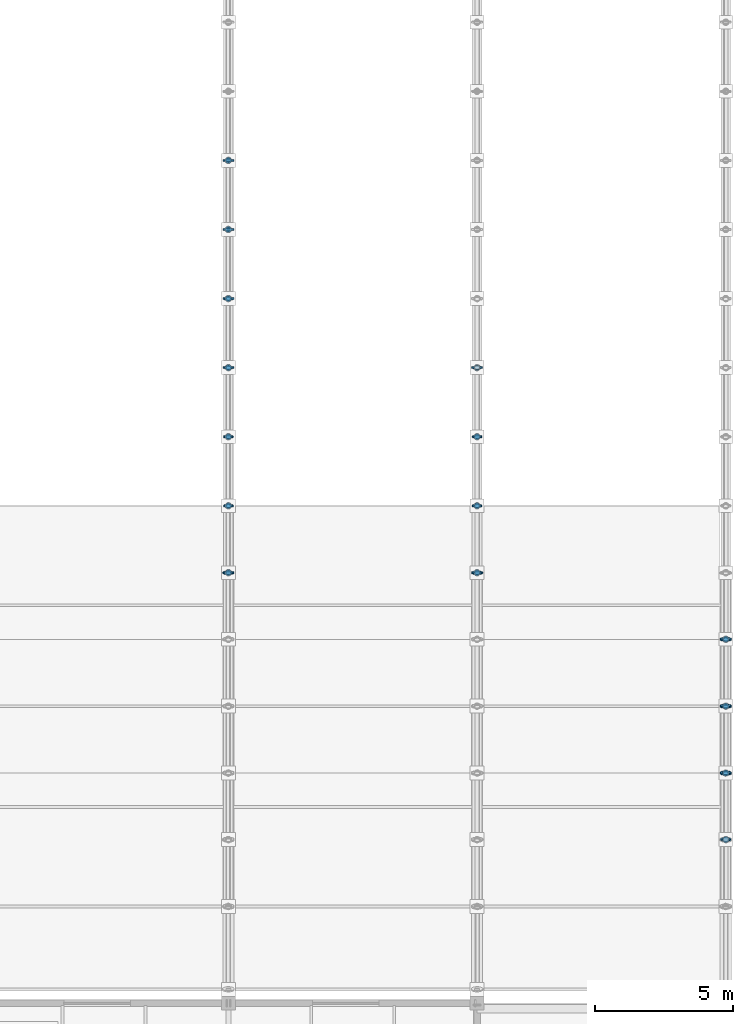
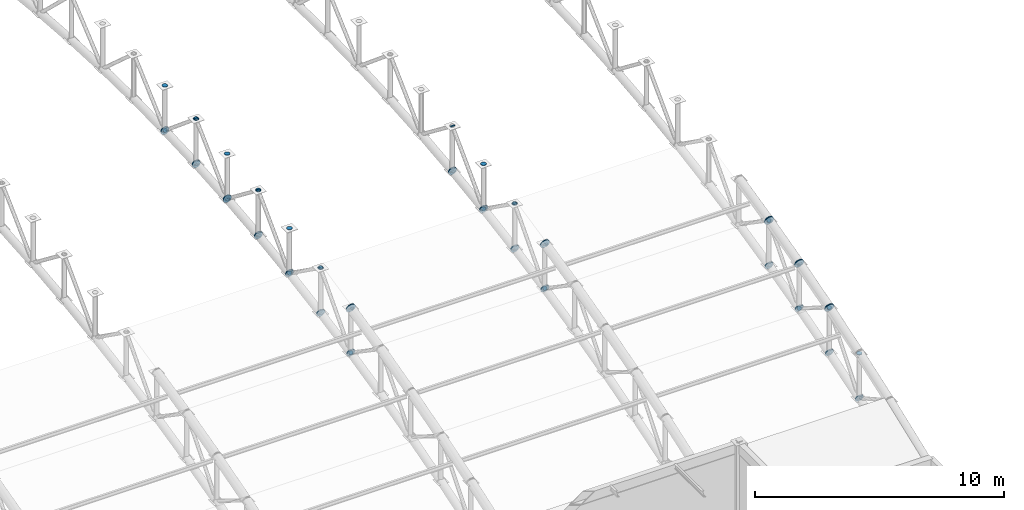
# One storey, part 153 of 195: 94 discrete accessories.
"""IFC4 building model written with IfcOpenShell, lengths in metres."""

from ifc_helpers import new_model, si_unit, direction, frame, origin, origin_2d, place, context, subcontext, project, spatial, circle, extrude, material, element, save


model = new_model("IFC4")

# Units and contexts
model_context = context("Model", 3, precision=1e-05, world=origin(), true_north=direction((0.0, 1.0)))
body_context = subcontext(model_context, "Body", "Model", "MODEL_VIEW")
ifc_project = project(units=[si_unit("LENGTHUNIT", "METRE"), si_unit("AREAUNIT", "SQUARE_METRE"), si_unit("VOLUMEUNIT", "CUBIC_METRE"), si_unit("PLANEANGLEUNIT", "RADIAN"), si_unit("MASSUNIT", "GRAM", prefix="KILO")], contexts=[model_context])

# Site, building, storey
site_placement = place(None, origin())
site = spatial("IfcSite", under=ifc_project, at=site_placement, CompositionType="ELEMENT")
building_placement = place(site_placement, origin())
building = spatial("IfcBuilding", under=site, at=building_placement, Name="Marlcrest Central Station", CompositionType="ELEMENT")
storey_placement = place(building_placement, frame((0.0, 0.0, 9.800048828125)))
storey = spatial("IfcBuildingStorey", under=building, at=storey_placement, Name="L02", CompositionType="ELEMENT", Elevation=9.800048828125)

# Discrete accessories
ifc_material = material(Name="Steel S355", Category="steel")
discrete_accessory_1_placement = place(storey_placement, frame((198.0, 48.5556640625, 5.111328125), z_axis=(0.0, 0.974329612642, 0.225126200004), x_axis=(-1.0, 0.0, 0.0)))
element("IfcDiscreteAccessory", 1, at=discrete_accessory_1_placement, inside=storey, material=ifc_material, Name="endcap-mem-AC-01-L02-01804-e", ObjectType="END_CAP_PLATE", PredefinedType="BRACKET", context=body_context, shape_type="SweptSolid", body=[
    extrude(circle(Radius=0.211181640625, at=origin_2d()), origin(), (0.0, 0.0, 1.0), 0.0400390625),
])
discrete_accessory_2_placement = place(storey_placement, frame((198.0, 48.5556640625, 2.911376953125), z_axis=(0.0, 0.974307959875, 0.225219891049), x_axis=(-1.0, 0.0, 0.0)))
element("IfcDiscreteAccessory", 2, at=discrete_accessory_2_placement, inside=storey, material=ifc_material, Name="endcap-mem-AC-02-L02-01805-e", ObjectType="END_CAP_PLATE", PredefinedType="BRACKET", context=body_context, shape_type="SweptSolid", body=[
    extrude(circle(Radius=0.185791015625, at=origin_2d()), origin(), (0.0, 0.0, 1.0), 0.0400390625),
])
discrete_accessory_3_placement = place(storey_placement, frame((198.0, 48.559326171875, 2.93115234375), z_axis=(0.0, 0.82626275624, -0.563284881432), x_axis=(-1.0, 0.0, 0.0)))
element("IfcDiscreteAccessory", 3, at=discrete_accessory_3_placement, inside=storey, material=ifc_material, Name="endcap-mem-AD-01-L02-01807-e", ObjectType="END_CAP_PLATE", PredefinedType="BRACKET", context=body_context, shape_type="SweptSolid", body=[
    extrude(circle(Radius=0.092041015625, at=origin_2d()), origin(), (0.0, 0.0, 1.0), 0.0400390625),
])
for number, where, z_axis, x_axis, name in (
    (4, (198.0, 48.5654296875, 2.9140625), (0.0, 0.980359417961, 0.197219196874), (-1.0, 0.0, 0.0), "endcap-mem-AC-02-L02-01809-s"),
    (5, (198.0, 50.9755859375, 3.39892578125), (0.0, 0.980359417961, 0.197219196874), (-1.0, 0.0, 0.0), "endcap-mem-AC-02-L02-01809-e"),
):
    element("IfcDiscreteAccessory", number, at=place(storey_placement, frame(where, z_axis=z_axis, x_axis=x_axis)), inside=storey, material=ifc_material, Name=name, ObjectType="END_CAP_PLATE", PredefinedType="BRACKET", context=body_context, shape_type="SweptSolid", body=[
        extrude(circle(Radius=0.185791015625, at=origin_2d()), origin(), (0.0, 0.0, 1.0), 0.0400390625),
    ])
for number, where, z_axis, x_axis, name in (
    (6, (198.0, 48.580078125, 2.902099609375), (0.0, 0.0, 1.0), (1.0, 0.0, 0.0), "endcap-mem-AP-01-L02-01810-s"),
    (7, (198.0, 48.580078125, 5.092041015625), (0.0, 0.0, 1.0), (1.0, 0.0, 0.0), "endcap-mem-AP-01-L02-01810-e"),
):
    element("IfcDiscreteAccessory", number, at=place(storey_placement, frame(where, z_axis=z_axis, x_axis=x_axis)), inside=storey, material=ifc_material, Name=name, ObjectType="END_CAP_PLATE", PredefinedType="BRACKET", context=body_context, shape_type="SweptSolid", body=[
        extrude(circle(Radius=0.117431640625, at=origin_2d()), origin(), (0.0, 0.0, 1.0), 0.0400390625),
    ])
for number, where, z_axis, x_axis, name in (
    (8, (198.0, 48.570068359375, 2.90576171875), (0.0, 0.669244457479, 0.743042297675), (-1.0, 0.0, 0.0), "endcap-mem-AD-01-L02-01811-s"),
    (9, (198.0, 50.983154296875, 5.585205078125), (0.0, 0.669244457479, 0.743042297675), (-1.0, 0.0, 0.0), "endcap-mem-AD-01-L02-01811-e"),
):
    element("IfcDiscreteAccessory", number, at=place(storey_placement, frame(where, z_axis=z_axis, x_axis=x_axis)), inside=storey, material=ifc_material, Name=name, ObjectType="END_CAP_PLATE", PredefinedType="BRACKET", context=body_context, shape_type="SweptSolid", body=[
        extrude(circle(Radius=0.092041015625, at=origin_2d()), origin(), (0.0, 0.0, 1.0), 0.0400390625),
    ])
for number, where, z_axis, x_axis, name in (
    (10, (198.0, 50.985107421875, 3.4013671875), (0.0, 0.98574109921, 0.168269086076), (-1.0, 0.0, 0.0), "endcap-mem-AC-02-L02-01813-s"),
    (11, (198.0, 53.475341796875, 3.826416015625), (0.0, 0.98574109921, 0.168269086076), (-1.0, 0.0, 0.0), "endcap-mem-AC-02-L02-01813-e"),
):
    element("IfcDiscreteAccessory", number, at=place(storey_placement, frame(where, z_axis=z_axis, x_axis=x_axis)), inside=storey, material=ifc_material, Name=name, ObjectType="END_CAP_PLATE", PredefinedType="BRACKET", context=body_context, shape_type="SweptSolid", body=[
        extrude(circle(Radius=0.185791015625, at=origin_2d()), origin(), (0.0, 0.0, 1.0), 0.0400390625),
    ])
for number, where, z_axis, x_axis, name in (
    (12, (198.0, 51.0, 3.388916015625), (0.0, 0.0, 1.0), (1.0, 0.0, 0.0), "endcap-mem-AP-01-L02-01814-s"),
    (13, (198.0, 51.0, 5.578857421875), (0.0, 0.0, 1.0), (1.0, 0.0, 0.0), "endcap-mem-AP-01-L02-01814-e"),
):
    element("IfcDiscreteAccessory", number, at=place(storey_placement, frame(where, z_axis=z_axis, x_axis=x_axis)), inside=storey, material=ifc_material, Name=name, ObjectType="END_CAP_PLATE", PredefinedType="BRACKET", context=body_context, shape_type="SweptSolid", body=[
        extrude(circle(Radius=0.117431640625, at=origin_2d()), origin(), (0.0, 0.0, 1.0), 0.0400390625),
    ])
for number, where, z_axis, x_axis, name in (
    (14, (198.0, 50.98779296875, 5.612548828125), (0.0, 0.815661132754, -0.57852996164), (-1.0, 0.0, 0.0), "endcap-mem-AD-01-L02-01815-s"),
    (15, (198.0, 53.4794921875, 3.844970703125), (0.0, 0.815661132754, -0.57852996164), (-1.0, 0.0, 0.0), "endcap-mem-AD-01-L02-01815-e"),
):
    element("IfcDiscreteAccessory", number, at=place(storey_placement, frame(where, z_axis=z_axis, x_axis=x_axis)), inside=storey, material=ifc_material, Name=name, ObjectType="END_CAP_PLATE", PredefinedType="BRACKET", context=body_context, shape_type="SweptSolid", body=[
        extrude(circle(Radius=0.092041015625, at=origin_2d()), origin(), (0.0, 0.0, 1.0), 0.0400390625),
    ])
for number, where, z_axis, x_axis, name in (
    (16, (198.0, 53.485107421875, 3.82861328125), (0.0, 0.990402740232, 0.138211476152), (-1.0, 0.0, 0.0), "endcap-mem-AC-02-L02-01817-s"),
    (17, (198.0, 55.975341796875, 4.176025390625), (0.0, 0.990402740232, 0.138211476152), (-1.0, 0.0, 0.0), "endcap-mem-AC-02-L02-01817-e"),
):
    element("IfcDiscreteAccessory", number, at=place(storey_placement, frame(where, z_axis=z_axis, x_axis=x_axis)), inside=storey, material=ifc_material, Name=name, ObjectType="END_CAP_PLATE", PredefinedType="BRACKET", context=body_context, shape_type="SweptSolid", body=[
        extrude(circle(Radius=0.185791015625, at=origin_2d()), origin(), (0.0, 0.0, 1.0), 0.0400390625),
    ])
for number, where, z_axis, x_axis, name in (
    (18, (198.0, 53.5, 3.815673828125), (0.0, 0.0, 1.0), (1.0, 0.0, 0.0), "endcap-mem-AP-01-L02-01818-s"),
    (19, (198.0, 53.5, 6.005615234375), (0.0, 0.0, 1.0), (1.0, 0.0, 0.0), "endcap-mem-AP-01-L02-01818-e"),
):
    element("IfcDiscreteAccessory", number, at=place(storey_placement, frame(where, z_axis=z_axis, x_axis=x_axis)), inside=storey, material=ifc_material, Name=name, ObjectType="END_CAP_PLATE", PredefinedType="BRACKET", context=body_context, shape_type="SweptSolid", body=[
        extrude(circle(Radius=0.117431640625, at=origin_2d()), origin(), (0.0, 0.0, 1.0), 0.0400390625),
    ])
for number, where, z_axis, x_axis, name in (
    (20, (198.0, 53.489501953125, 3.81982421875), (0.0, 0.70023547796, 0.713911952139), (-1.0, 0.0, 0.0), "endcap-mem-AD-01-L02-01819-s"),
    (21, (198.0, 55.982421875, 6.361572265625), (0.0, 0.70023547796, 0.713911952139), (-1.0, 0.0, 0.0), "endcap-mem-AD-01-L02-01819-e"),
):
    element("IfcDiscreteAccessory", number, at=place(storey_placement, frame(where, z_axis=z_axis, x_axis=x_axis)), inside=storey, material=ifc_material, Name=name, ObjectType="END_CAP_PLATE", PredefinedType="BRACKET", context=body_context, shape_type="SweptSolid", body=[
        extrude(circle(Radius=0.092041015625, at=origin_2d()), origin(), (0.0, 0.0, 1.0), 0.0400390625),
    ])
for number, where, z_axis, x_axis, name in (
    (22, (198.0, 55.985107421875, 4.177734375), (0.0, 0.994155341034, 0.107959056565), (-1.0, 0.0, 0.0), "endcap-mem-AC-02-L02-01821-s"),
    (23, (198.0, 58.47509765625, 4.4482421875), (0.0, 0.994155341034, 0.107959056565), (-1.0, 0.0, 0.0), "endcap-mem-AC-02-L02-01821-e"),
):
    element("IfcDiscreteAccessory", number, at=place(storey_placement, frame(where, z_axis=z_axis, x_axis=x_axis)), inside=storey, material=ifc_material, Name=name, ObjectType="END_CAP_PLATE", PredefinedType="BRACKET", context=body_context, shape_type="SweptSolid", body=[
        extrude(circle(Radius=0.185791015625, at=origin_2d()), origin(), (0.0, 0.0, 1.0), 0.0400390625),
    ])
for number, where, z_axis, x_axis, name in (
    (24, (198.0, 56.0, 4.16455078125), (0.0, 0.0, 1.0), (1.0, 0.0, 0.0), "endcap-mem-AP-01-L02-01822-s"),
    (25, (198.0, 56.0, 6.3544921875), (0.0, 0.0, 1.0), (1.0, 0.0, 0.0), "endcap-mem-AP-01-L02-01822-e"),
):
    element("IfcDiscreteAccessory", number, at=place(storey_placement, frame(where, z_axis=z_axis, x_axis=x_axis)), inside=storey, material=ifc_material, Name=name, ObjectType="END_CAP_PLATE", PredefinedType="BRACKET", context=body_context, shape_type="SweptSolid", body=[
        extrude(circle(Radius=0.117431640625, at=origin_2d()), origin(), (0.0, 0.0, 1.0), 0.0400390625),
    ])
for number, where, z_axis, x_axis, name in (
    (26, (198.0, 55.988037109375, 6.388671875), (0.0, 0.791798282026, -0.610782678684), (-1.0, 0.0, 0.0), "endcap-mem-AD-01-L02-01823-s"),
    (27, (198.0, 58.480224609375, 4.46630859375), (0.0, 0.791798282026, -0.610782678684), (-1.0, 0.0, 0.0), "endcap-mem-AD-01-L02-01823-e"),
):
    element("IfcDiscreteAccessory", number, at=place(storey_placement, frame(where, z_axis=z_axis, x_axis=x_axis)), inside=storey, material=ifc_material, Name=name, ObjectType="END_CAP_PLATE", PredefinedType="BRACKET", context=body_context, shape_type="SweptSolid", body=[
        extrude(circle(Radius=0.092041015625, at=origin_2d()), origin(), (0.0, 0.0, 1.0), 0.0400390625),
    ])
for number, where, z_axis, x_axis, name in (
    (28, (198.0, 58.485107421875, 4.44970703125), (0.0, 0.997007334767, 0.077307014043), (-1.0, 0.0, 0.0), "endcap-mem-AC-02-L02-01825-s"),
    (29, (198.0, 60.97509765625, 4.642822265625), (0.0, 0.997007334767, 0.077307014043), (-1.0, 0.0, 0.0), "endcap-mem-AC-02-L02-01825-e"),
):
    element("IfcDiscreteAccessory", number, at=place(storey_placement, frame(where, z_axis=z_axis, x_axis=x_axis)), inside=storey, material=ifc_material, Name=name, ObjectType="END_CAP_PLATE", PredefinedType="BRACKET", context=body_context, shape_type="SweptSolid", body=[
        extrude(circle(Radius=0.185791015625, at=origin_2d()), origin(), (0.0, 0.0, 1.0), 0.0400390625),
    ])
for number, where, z_axis, x_axis, name in (
    (30, (198.0, 58.5, 4.43603515625), (0.0, 0.0, 1.0), (1.0, 0.0, 0.0), "endcap-mem-AP-01-L02-01826-s"),
    (31, (198.0, 58.5, 6.6259765625), (0.0, 0.0, 1.0), (1.0, 0.0, 0.0), "endcap-mem-AP-01-L02-01826-e"),
):
    element("IfcDiscreteAccessory", number, at=place(storey_placement, frame(where, z_axis=z_axis, x_axis=x_axis)), inside=storey, material=ifc_material, Name=name, ObjectType="END_CAP_PLATE", PredefinedType="BRACKET", context=body_context, shape_type="SweptSolid", body=[
        extrude(circle(Radius=0.117431640625, at=origin_2d()), origin(), (0.0, 0.0, 1.0), 0.0400390625),
    ])
for number, where, z_axis, x_axis, name in (
    (32, (198.0, 58.4892578125, 4.440673828125), (0.0, 0.722246537655, 0.691635698071), (-1.0, 0.0, 0.0), "endcap-mem-AD-01-L02-01827-s"),
    (33, (198.0, 60.98193359375, 6.82763671875), (0.0, 0.722246537655, 0.691635698071), (-1.0, 0.0, 0.0), "endcap-mem-AD-01-L02-01827-e"),
):
    element("IfcDiscreteAccessory", number, at=place(storey_placement, frame(where, z_axis=z_axis, x_axis=x_axis)), inside=storey, material=ifc_material, Name=name, ObjectType="END_CAP_PLATE", PredefinedType="BRACKET", context=body_context, shape_type="SweptSolid", body=[
        extrude(circle(Radius=0.092041015625, at=origin_2d()), origin(), (0.0, 0.0, 1.0), 0.0400390625),
    ])
for number, where, z_axis, x_axis, name in (
    (34, (198.0, 60.985107421875, 4.64404296875), (0.0, 0.998916819647, 0.046531574509), (-1.0, 0.0, 0.0), "endcap-mem-AC-02-L02-01829-s"),
    (35, (198.0, 63.47509765625, 4.760009765625), (0.0, 0.998916819647, 0.046531574509), (-1.0, 0.0, 0.0), "endcap-mem-AC-02-L02-01829-e"),
):
    element("IfcDiscreteAccessory", number, at=place(storey_placement, frame(where, z_axis=z_axis, x_axis=x_axis)), inside=storey, material=ifc_material, Name=name, ObjectType="END_CAP_PLATE", PredefinedType="BRACKET", context=body_context, shape_type="SweptSolid", body=[
        extrude(circle(Radius=0.185791015625, at=origin_2d()), origin(), (0.0, 0.0, 1.0), 0.0400390625),
    ])
for number, where, z_axis, x_axis, name in (
    (36, (198.0, 61.0, 4.6298828125), (0.0, 0.0, 1.0), (1.0, 0.0, 0.0), "endcap-mem-AP-01-L02-01830-s"),
    (37, (198.0, 61.0, 6.820068359375), (0.0, 0.0, 1.0), (1.0, 0.0, 0.0), "endcap-mem-AP-01-L02-01830-e"),
):
    element("IfcDiscreteAccessory", number, at=place(storey_placement, frame(where, z_axis=z_axis, x_axis=x_axis)), inside=storey, material=ifc_material, Name=name, ObjectType="END_CAP_PLATE", PredefinedType="BRACKET", context=body_context, shape_type="SweptSolid", body=[
        extrude(circle(Radius=0.117431640625, at=origin_2d()), origin(), (0.0, 0.0, 1.0), 0.0400390625),
    ])
for number, where, z_axis, x_axis, name in (
    (38, (198.0, 60.988525390625, 6.8544921875), (0.0, 0.768159787854, -0.640258182552), (-1.0, 0.0, 0.0), "endcap-mem-AD-01-L02-01831-s"),
    (39, (198.0, 63.480712890625, 4.77734375), (0.0, 0.768159787854, -0.640258182552), (-1.0, 0.0, 0.0), "endcap-mem-AD-01-L02-01831-e"),
):
    element("IfcDiscreteAccessory", number, at=place(storey_placement, frame(where, z_axis=z_axis, x_axis=x_axis)), inside=storey, material=ifc_material, Name=name, ObjectType="END_CAP_PLATE", PredefinedType="BRACKET", context=body_context, shape_type="SweptSolid", body=[
        extrude(circle(Radius=0.092041015625, at=origin_2d()), origin(), (0.0, 0.0, 1.0), 0.0400390625),
    ])
discrete_accessory_4_placement = place(storey_placement, frame((198.0, 63.485107421875, 4.760986328125), z_axis=(0.0, 0.999879472592, 0.01552547228), x_axis=(-1.0, 0.0, 0.0)))
element("IfcDiscreteAccessory", 40, at=discrete_accessory_4_placement, inside=storey, material=ifc_material, Name="endcap-mem-AC-02-L02-01833-s", ObjectType="END_CAP_PLATE", PredefinedType="BRACKET", context=body_context, shape_type="SweptSolid", body=[
    extrude(circle(Radius=0.185791015625, at=origin_2d()), origin(), (0.0, 0.0, 1.0), 0.0400390625),
])
for number, where, z_axis, x_axis, name in (
    (41, (198.0, 63.5, 4.746337890625), (0.0, 0.0, 1.0), (1.0, 0.0, 0.0), "endcap-mem-AP-01-L02-01834-s"),
    (42, (198.0, 63.5, 6.936279296875), (0.0, 0.0, 1.0), (1.0, 0.0, 0.0), "endcap-mem-AP-01-L02-01834-e"),
):
    element("IfcDiscreteAccessory", number, at=place(storey_placement, frame(where, z_axis=z_axis, x_axis=x_axis)), inside=storey, material=ifc_material, Name=name, ObjectType="END_CAP_PLATE", PredefinedType="BRACKET", context=body_context, shape_type="SweptSolid", body=[
        extrude(circle(Radius=0.117431640625, at=origin_2d()), origin(), (0.0, 0.0, 1.0), 0.0400390625),
    ])
discrete_accessory_5_placement = place(storey_placement, frame((198.0, 63.48876953125, 4.751220703125), z_axis=(0.0, 0.744955843007, 0.66711377738), x_axis=(-1.0, 0.0, 0.0)))
element("IfcDiscreteAccessory", 43, at=discrete_accessory_5_placement, inside=storey, material=ifc_material, Name="endcap-mem-AD-01-L02-01835-s", ObjectType="END_CAP_PLATE", PredefinedType="BRACKET", context=body_context, shape_type="SweptSolid", body=[
    extrude(circle(Radius=0.092041015625, at=origin_2d()), origin(), (0.0, 0.0, 1.0), 0.0400390625),
])
discrete_accessory_6_placement = place(storey_placement, frame((207.0, 48.5556640625, 5.111328125), z_axis=(0.0, 0.974329612642, 0.225126200004), x_axis=(-1.0, 0.0, 0.0)))
element("IfcDiscreteAccessory", 44, at=discrete_accessory_6_placement, inside=storey, material=ifc_material, Name="endcap-mem-AC-01-L02-01920-e", ObjectType="END_CAP_PLATE", PredefinedType="BRACKET", context=body_context, shape_type="SweptSolid", body=[
    extrude(circle(Radius=0.211181640625, at=origin_2d()), origin(), (0.0, 0.0, 1.0), 0.0400390625),
])
discrete_accessory_7_placement = place(storey_placement, frame((207.0, 48.5556640625, 2.911376953125), z_axis=(0.0, 0.974307959875, 0.225219891049), x_axis=(-1.0, 0.0, 0.0)))
element("IfcDiscreteAccessory", 45, at=discrete_accessory_7_placement, inside=storey, material=ifc_material, Name="endcap-mem-AC-02-L02-01921-e", ObjectType="END_CAP_PLATE", PredefinedType="BRACKET", context=body_context, shape_type="SweptSolid", body=[
    extrude(circle(Radius=0.185791015625, at=origin_2d()), origin(), (0.0, 0.0, 1.0), 0.0400390625),
])
discrete_accessory_8_placement = place(storey_placement, frame((207.0, 48.559326171875, 2.93115234375), z_axis=(0.0, 0.82626275624, -0.563284881432), x_axis=(-1.0, 0.0, 0.0)))
element("IfcDiscreteAccessory", 46, at=discrete_accessory_8_placement, inside=storey, material=ifc_material, Name="endcap-mem-AD-01-L02-01923-e", ObjectType="END_CAP_PLATE", PredefinedType="BRACKET", context=body_context, shape_type="SweptSolid", body=[
    extrude(circle(Radius=0.092041015625, at=origin_2d()), origin(), (0.0, 0.0, 1.0), 0.0400390625),
])
for number, where, z_axis, x_axis, name in (
    (47, (207.0, 48.5654296875, 2.9140625), (0.0, 0.980359417961, 0.197219196874), (-1.0, 0.0, 0.0), "endcap-mem-AC-02-L02-01925-s"),
    (48, (207.0, 50.9755859375, 3.39892578125), (0.0, 0.980359417961, 0.197219196874), (-1.0, 0.0, 0.0), "endcap-mem-AC-02-L02-01925-e"),
):
    element("IfcDiscreteAccessory", number, at=place(storey_placement, frame(where, z_axis=z_axis, x_axis=x_axis)), inside=storey, material=ifc_material, Name=name, ObjectType="END_CAP_PLATE", PredefinedType="BRACKET", context=body_context, shape_type="SweptSolid", body=[
        extrude(circle(Radius=0.185791015625, at=origin_2d()), origin(), (0.0, 0.0, 1.0), 0.0400390625),
    ])
for number, where, z_axis, x_axis, name in (
    (49, (207.0, 48.580078125, 2.902099609375), (0.0, 0.0, 1.0), (1.0, 0.0, 0.0), "endcap-mem-AP-01-L02-01926-s"),
    (50, (207.0, 48.580078125, 5.092041015625), (0.0, 0.0, 1.0), (1.0, 0.0, 0.0), "endcap-mem-AP-01-L02-01926-e"),
):
    element("IfcDiscreteAccessory", number, at=place(storey_placement, frame(where, z_axis=z_axis, x_axis=x_axis)), inside=storey, material=ifc_material, Name=name, ObjectType="END_CAP_PLATE", PredefinedType="BRACKET", context=body_context, shape_type="SweptSolid", body=[
        extrude(circle(Radius=0.117431640625, at=origin_2d()), origin(), (0.0, 0.0, 1.0), 0.0400390625),
    ])
for number, where, z_axis, x_axis, name in (
    (51, (207.0, 48.570068359375, 2.90576171875), (0.0, 0.669244457479, 0.743042297675), (-1.0, 0.0, 0.0), "endcap-mem-AD-01-L02-01927-s"),
    (52, (207.0, 50.983154296875, 5.585205078125), (0.0, 0.669244457479, 0.743042297675), (-1.0, 0.0, 0.0), "endcap-mem-AD-01-L02-01927-e"),
):
    element("IfcDiscreteAccessory", number, at=place(storey_placement, frame(where, z_axis=z_axis, x_axis=x_axis)), inside=storey, material=ifc_material, Name=name, ObjectType="END_CAP_PLATE", PredefinedType="BRACKET", context=body_context, shape_type="SweptSolid", body=[
        extrude(circle(Radius=0.092041015625, at=origin_2d()), origin(), (0.0, 0.0, 1.0), 0.0400390625),
    ])
for number, where, z_axis, x_axis, name in (
    (53, (207.0, 50.985107421875, 3.4013671875), (0.0, 0.98574109921, 0.168269086076), (-1.0, 0.0, 0.0), "endcap-mem-AC-02-L02-01929-s"),
    (54, (207.0, 53.475341796875, 3.826416015625), (0.0, 0.98574109921, 0.168269086076), (-1.0, 0.0, 0.0), "endcap-mem-AC-02-L02-01929-e"),
):
    element("IfcDiscreteAccessory", number, at=place(storey_placement, frame(where, z_axis=z_axis, x_axis=x_axis)), inside=storey, material=ifc_material, Name=name, ObjectType="END_CAP_PLATE", PredefinedType="BRACKET", context=body_context, shape_type="SweptSolid", body=[
        extrude(circle(Radius=0.185791015625, at=origin_2d()), origin(), (0.0, 0.0, 1.0), 0.0400390625),
    ])
for number, where, z_axis, x_axis, name in (
    (55, (207.0, 51.0, 3.388916015625), (0.0, 0.0, 1.0), (1.0, 0.0, 0.0), "endcap-mem-AP-01-L02-01930-s"),
    (56, (207.0, 51.0, 5.578857421875), (0.0, 0.0, 1.0), (1.0, 0.0, 0.0), "endcap-mem-AP-01-L02-01930-e"),
):
    element("IfcDiscreteAccessory", number, at=place(storey_placement, frame(where, z_axis=z_axis, x_axis=x_axis)), inside=storey, material=ifc_material, Name=name, ObjectType="END_CAP_PLATE", PredefinedType="BRACKET", context=body_context, shape_type="SweptSolid", body=[
        extrude(circle(Radius=0.117431640625, at=origin_2d()), origin(), (0.0, 0.0, 1.0), 0.0400390625),
    ])
for number, where, z_axis, x_axis, name in (
    (57, (207.0, 50.98779296875, 5.612548828125), (0.0, 0.815661132754, -0.57852996164), (-1.0, 0.0, 0.0), "endcap-mem-AD-01-L02-01931-s"),
    (58, (207.0, 53.4794921875, 3.844970703125), (0.0, 0.815661132754, -0.57852996164), (-1.0, 0.0, 0.0), "endcap-mem-AD-01-L02-01931-e"),
):
    element("IfcDiscreteAccessory", number, at=place(storey_placement, frame(where, z_axis=z_axis, x_axis=x_axis)), inside=storey, material=ifc_material, Name=name, ObjectType="END_CAP_PLATE", PredefinedType="BRACKET", context=body_context, shape_type="SweptSolid", body=[
        extrude(circle(Radius=0.092041015625, at=origin_2d()), origin(), (0.0, 0.0, 1.0), 0.0400390625),
    ])
for number, where, z_axis, x_axis, name in (
    (59, (207.0, 53.485107421875, 3.82861328125), (0.0, 0.990402740232, 0.138211476152), (-1.0, 0.0, 0.0), "endcap-mem-AC-02-L02-01933-s"),
    (60, (207.0, 55.975341796875, 4.176025390625), (0.0, 0.990402740232, 0.138211476152), (-1.0, 0.0, 0.0), "endcap-mem-AC-02-L02-01933-e"),
):
    element("IfcDiscreteAccessory", number, at=place(storey_placement, frame(where, z_axis=z_axis, x_axis=x_axis)), inside=storey, material=ifc_material, Name=name, ObjectType="END_CAP_PLATE", PredefinedType="BRACKET", context=body_context, shape_type="SweptSolid", body=[
        extrude(circle(Radius=0.185791015625, at=origin_2d()), origin(), (0.0, 0.0, 1.0), 0.0400390625),
    ])
for number, where, z_axis, x_axis, name in (
    (61, (207.0, 53.5, 3.815673828125), (0.0, 0.0, 1.0), (1.0, 0.0, 0.0), "endcap-mem-AP-01-L02-01934-s"),
    (62, (207.0, 53.5, 6.005615234375), (0.0, 0.0, 1.0), (1.0, 0.0, 0.0), "endcap-mem-AP-01-L02-01934-e"),
):
    element("IfcDiscreteAccessory", number, at=place(storey_placement, frame(where, z_axis=z_axis, x_axis=x_axis)), inside=storey, material=ifc_material, Name=name, ObjectType="END_CAP_PLATE", PredefinedType="BRACKET", context=body_context, shape_type="SweptSolid", body=[
        extrude(circle(Radius=0.117431640625, at=origin_2d()), origin(), (0.0, 0.0, 1.0), 0.0400390625),
    ])
for number, where, z_axis, x_axis, name in (
    (63, (207.0, 53.489501953125, 3.81982421875), (0.0, 0.70023547796, 0.713911952139), (-1.0, 0.0, 0.0), "endcap-mem-AD-01-L02-01935-s"),
    (64, (207.0, 55.982421875, 6.361572265625), (0.0, 0.70023547796, 0.713911952139), (-1.0, 0.0, 0.0), "endcap-mem-AD-01-L02-01935-e"),
):
    element("IfcDiscreteAccessory", number, at=place(storey_placement, frame(where, z_axis=z_axis, x_axis=x_axis)), inside=storey, material=ifc_material, Name=name, ObjectType="END_CAP_PLATE", PredefinedType="BRACKET", context=body_context, shape_type="SweptSolid", body=[
        extrude(circle(Radius=0.092041015625, at=origin_2d()), origin(), (0.0, 0.0, 1.0), 0.0400390625),
    ])
discrete_accessory_9_placement = place(storey_placement, frame((207.0, 55.985107421875, 4.177734375), z_axis=(0.0, 0.994155341034, 0.107959056565), x_axis=(-1.0, 0.0, 0.0)))
element("IfcDiscreteAccessory", 65, at=discrete_accessory_9_placement, inside=storey, material=ifc_material, Name="endcap-mem-AC-02-L02-01937-s", ObjectType="END_CAP_PLATE", PredefinedType="BRACKET", context=body_context, shape_type="SweptSolid", body=[
    extrude(circle(Radius=0.185791015625, at=origin_2d()), origin(), (0.0, 0.0, 1.0), 0.0400390625),
])
discrete_accessory_10_placement = place(storey_placement, frame((207.0, 56.0, 4.16455078125), z_axis=(0.0, 0.0, 1.0), x_axis=(1.0, 0.0, 0.0)))
element("IfcDiscreteAccessory", 66, at=discrete_accessory_10_placement, inside=storey, material=ifc_material, Name="endcap-mem-AP-01-L02-01938-s", ObjectType="END_CAP_PLATE", PredefinedType="BRACKET", context=body_context, shape_type="SweptSolid", body=[
    extrude(circle(Radius=0.117431640625, at=origin_2d()), origin(), (0.0, 0.0, 1.0), 0.0400390625),
])
discrete_accessory_11_placement = place(storey_placement, frame((216.0, 41.306396484375, 3.2158203125), z_axis=(0.0, 0.952116828449, 0.305734435391), x_axis=(-1.0, 0.0, 0.0)))
element("IfcDiscreteAccessory", 67, at=discrete_accessory_11_placement, inside=storey, material=ifc_material, Name="endcap-mem-AC-01-L02-02024-e", ObjectType="END_CAP_PLATE", PredefinedType="BRACKET", context=body_context, shape_type="SweptSolid", body=[
    extrude(circle(Radius=0.211181640625, at=origin_2d()), origin(), (0.0, 0.0, 1.0), 0.0400390625),
])
for number, where, z_axis, x_axis, name in (
    (68, (216.0, 38.90576171875, 0.244873046875), (0.0, 0.952116828449, 0.305734435391), (-1.0, 0.0, 0.0), "endcap-mem-AC-02-L02-02025-s"),
    (69, (216.0, 41.306396484375, 1.015869140625), (0.0, 0.952116828449, 0.305734435391), (-1.0, 0.0, 0.0), "endcap-mem-AC-02-L02-02025-e"),
):
    element("IfcDiscreteAccessory", number, at=place(storey_placement, frame(where, z_axis=z_axis, x_axis=x_axis)), inside=storey, material=ifc_material, Name=name, ObjectType="END_CAP_PLATE", PredefinedType="BRACKET", context=body_context, shape_type="SweptSolid", body=[
        extrude(circle(Radius=0.185791015625, at=origin_2d()), origin(), (0.0, 0.0, 1.0), 0.0400390625),
    ])
for number, where, z_axis, x_axis, name in (
    (70, (216.0, 38.919921875, 0.234619140625), (0.0, 0.0, 1.0), (1.0, 0.0, 0.0), "endcap-mem-AP-01-L02-02026-s"),
    (71, (216.0, 38.919921875, 2.424560546875), (0.0, 0.0, 1.0), (1.0, 0.0, 0.0), "endcap-mem-AP-01-L02-02026-e"),
):
    element("IfcDiscreteAccessory", number, at=place(storey_placement, frame(where, z_axis=z_axis, x_axis=x_axis)), inside=storey, material=ifc_material, Name=name, ObjectType="END_CAP_PLATE", PredefinedType="BRACKET", context=body_context, shape_type="SweptSolid", body=[
        extrude(circle(Radius=0.117431640625, at=origin_2d()), origin(), (0.0, 0.0, 1.0), 0.0400390625),
    ])
for number, where, z_axis, x_axis, name in (
    (72, (216.0, 38.910400390625, 0.23779296875), (0.0, 0.62962929743, 0.776895712318), (-1.0, 0.0, 0.0), "endcap-mem-AD-01-L02-02027-s"),
    (73, (216.0, 41.314453125, 3.203857421875), (0.0, 0.62962929743, 0.776895712318), (-1.0, 0.0, 0.0), "endcap-mem-AD-01-L02-02027-e"),
):
    element("IfcDiscreteAccessory", number, at=place(storey_placement, frame(where, z_axis=z_axis, x_axis=x_axis)), inside=storey, material=ifc_material, Name=name, ObjectType="END_CAP_PLATE", PredefinedType="BRACKET", context=body_context, shape_type="SweptSolid", body=[
        extrude(circle(Radius=0.092041015625, at=origin_2d()), origin(), (0.0, 0.0, 1.0), 0.0400390625),
    ])
for number, where, z_axis, x_axis, name in (
    (74, (216.0, 41.315673828125, 3.21923828125), (0.0, 0.960130083362, 0.27955361386), (-1.0, 0.0, 0.0), "endcap-mem-AC-01-L02-02028-s"),
    (75, (216.0, 43.72607421875, 3.9208984375), (0.0, 0.960130083362, 0.27955361386), (-1.0, 0.0, 0.0), "endcap-mem-AC-01-L02-02028-e"),
):
    element("IfcDiscreteAccessory", number, at=place(storey_placement, frame(where, z_axis=z_axis, x_axis=x_axis)), inside=storey, material=ifc_material, Name=name, ObjectType="END_CAP_PLATE", PredefinedType="BRACKET", context=body_context, shape_type="SweptSolid", body=[
        extrude(circle(Radius=0.211181640625, at=origin_2d()), origin(), (0.0, 0.0, 1.0), 0.0400390625),
    ])
for number, where, z_axis, x_axis, name in (
    (76, (216.0, 41.315673828125, 1.019287109375), (0.0, 0.960130083362, 0.27955361386), (-1.0, 0.0, 0.0), "endcap-mem-AC-02-L02-02029-s"),
    (77, (216.0, 43.72607421875, 1.720947265625), (0.0, 0.960130083362, 0.27955361386), (-1.0, 0.0, 0.0), "endcap-mem-AC-02-L02-02029-e"),
):
    element("IfcDiscreteAccessory", number, at=place(storey_placement, frame(where, z_axis=z_axis, x_axis=x_axis)), inside=storey, material=ifc_material, Name=name, ObjectType="END_CAP_PLATE", PredefinedType="BRACKET", context=body_context, shape_type="SweptSolid", body=[
        extrude(circle(Radius=0.185791015625, at=origin_2d()), origin(), (0.0, 0.0, 1.0), 0.0400390625),
    ])
for number, where, z_axis, x_axis, name in (
    (78, (216.0, 41.330078125, 1.008544921875), (0.0, 0.0, 1.0), (1.0, 0.0, 0.0), "endcap-mem-AP-01-L02-02030-s"),
    (79, (216.0, 41.330078125, 3.198486328125), (0.0, 0.0, 1.0), (1.0, 0.0, 0.0), "endcap-mem-AP-01-L02-02030-e"),
):
    element("IfcDiscreteAccessory", number, at=place(storey_placement, frame(where, z_axis=z_axis, x_axis=x_axis)), inside=storey, material=ifc_material, Name=name, ObjectType="END_CAP_PLATE", PredefinedType="BRACKET", context=body_context, shape_type="SweptSolid", body=[
        extrude(circle(Radius=0.117431640625, at=origin_2d()), origin(), (0.0, 0.0, 1.0), 0.0400390625),
    ])
for number, where, z_axis, x_axis, name in (
    (80, (216.0, 41.3173828125, 3.231201171875), (0.0, 0.850687380038, -0.525671933286), (-1.0, 0.0, 0.0), "endcap-mem-AD-01-L02-02031-s"),
    (81, (216.0, 43.728759765625, 1.7412109375), (0.0, 0.850687380038, -0.525671933286), (-1.0, 0.0, 0.0), "endcap-mem-AD-01-L02-02031-e"),
):
    element("IfcDiscreteAccessory", number, at=place(storey_placement, frame(where, z_axis=z_axis, x_axis=x_axis)), inside=storey, material=ifc_material, Name=name, ObjectType="END_CAP_PLATE", PredefinedType="BRACKET", context=body_context, shape_type="SweptSolid", body=[
        extrude(circle(Radius=0.092041015625, at=origin_2d()), origin(), (0.0, 0.0, 1.0), 0.0400390625),
    ])
for number, where, z_axis, x_axis, name in (
    (82, (216.0, 43.735595703125, 3.924072265625), (0.0, 0.967539481681, 0.252719906989), (-1.0, 0.0, 0.0), "endcap-mem-AC-01-L02-02032-s"),
    (83, (216.0, 46.145751953125, 4.5537109375), (0.0, 0.967539481681, 0.252719906989), (-1.0, 0.0, 0.0), "endcap-mem-AC-01-L02-02032-e"),
):
    element("IfcDiscreteAccessory", number, at=place(storey_placement, frame(where, z_axis=z_axis, x_axis=x_axis)), inside=storey, material=ifc_material, Name=name, ObjectType="END_CAP_PLATE", PredefinedType="BRACKET", context=body_context, shape_type="SweptSolid", body=[
        extrude(circle(Radius=0.211181640625, at=origin_2d()), origin(), (0.0, 0.0, 1.0), 0.0400390625),
    ])
for number, where, z_axis, x_axis, name in (
    (84, (216.0, 43.735595703125, 1.72412109375), (0.0, 0.967563345928, 0.252628524946), (-1.0, 0.0, 0.0), "endcap-mem-AC-02-L02-02033-s"),
    (85, (216.0, 46.145751953125, 2.353515625), (0.0, 0.967563345928, 0.252628524946), (-1.0, 0.0, 0.0), "endcap-mem-AC-02-L02-02033-e"),
):
    element("IfcDiscreteAccessory", number, at=place(storey_placement, frame(where, z_axis=z_axis, x_axis=x_axis)), inside=storey, material=ifc_material, Name=name, ObjectType="END_CAP_PLATE", PredefinedType="BRACKET", context=body_context, shape_type="SweptSolid", body=[
        extrude(circle(Radius=0.185791015625, at=origin_2d()), origin(), (0.0, 0.0, 1.0), 0.0400390625),
    ])
for number, where, z_axis, x_axis, name in (
    (86, (216.0, 43.75, 1.713134765625), (0.0, 0.0, 1.0), (1.0, 0.0, 0.0), "endcap-mem-AP-01-L02-02034-s"),
    (87, (216.0, 43.75, 3.903076171875), (0.0, 0.0, 1.0), (1.0, 0.0, 0.0), "endcap-mem-AP-01-L02-02034-e"),
):
    element("IfcDiscreteAccessory", number, at=place(storey_placement, frame(where, z_axis=z_axis, x_axis=x_axis)), inside=storey, material=ifc_material, Name=name, ObjectType="END_CAP_PLATE", PredefinedType="BRACKET", context=body_context, shape_type="SweptSolid", body=[
        extrude(circle(Radius=0.117431640625, at=origin_2d()), origin(), (0.0, 0.0, 1.0), 0.0400390625),
    ])
for number, where, z_axis, x_axis, name in (
    (88, (216.0, 43.740234375, 1.716552734375), (0.0, 0.649624779144, 0.760254987699), (-1.0, 0.0, 0.0), "endcap-mem-AD-01-L02-02035-s"),
    (89, (216.0, 46.153564453125, 4.541015625), (0.0, 0.649624779144, 0.760254987699), (-1.0, 0.0, 0.0), "endcap-mem-AD-01-L02-02035-e"),
):
    element("IfcDiscreteAccessory", number, at=place(storey_placement, frame(where, z_axis=z_axis, x_axis=x_axis)), inside=storey, material=ifc_material, Name=name, ObjectType="END_CAP_PLATE", PredefinedType="BRACKET", context=body_context, shape_type="SweptSolid", body=[
        extrude(circle(Radius=0.092041015625, at=origin_2d()), origin(), (0.0, 0.0, 1.0), 0.0400390625),
    ])
discrete_accessory_12_placement = place(storey_placement, frame((216.0, 46.1552734375, 4.556640625), z_axis=(0.0, 0.974329612642, 0.225126200004), x_axis=(-1.0, 0.0, 0.0)))
element("IfcDiscreteAccessory", 90, at=discrete_accessory_12_placement, inside=storey, material=ifc_material, Name="endcap-mem-AC-01-L02-02036-s", ObjectType="END_CAP_PLATE", PredefinedType="BRACKET", context=body_context, shape_type="SweptSolid", body=[
    extrude(circle(Radius=0.211181640625, at=origin_2d()), origin(), (0.0, 0.0, 1.0), 0.0400390625),
])
discrete_accessory_13_placement = place(storey_placement, frame((216.0, 46.1552734375, 2.3564453125), z_axis=(0.0, 0.974307959875, 0.225219891049), x_axis=(-1.0, 0.0, 0.0)))
element("IfcDiscreteAccessory", 91, at=discrete_accessory_13_placement, inside=storey, material=ifc_material, Name="endcap-mem-AC-02-L02-02037-s", ObjectType="END_CAP_PLATE", PredefinedType="BRACKET", context=body_context, shape_type="SweptSolid", body=[
    extrude(circle(Radius=0.185791015625, at=origin_2d()), origin(), (0.0, 0.0, 1.0), 0.0400390625),
])
for number, where, z_axis, x_axis, name in (
    (92, (216.0, 46.169921875, 2.344970703125), (0.0, 0.0, 1.0), (1.0, 0.0, 0.0), "endcap-mem-AP-01-L02-02038-s"),
    (93, (216.0, 46.169921875, 4.53515625), (0.0, 0.0, 1.0), (1.0, 0.0, 0.0), "endcap-mem-AP-01-L02-02038-e"),
):
    element("IfcDiscreteAccessory", number, at=place(storey_placement, frame(where, z_axis=z_axis, x_axis=x_axis)), inside=storey, material=ifc_material, Name=name, ObjectType="END_CAP_PLATE", PredefinedType="BRACKET", context=body_context, shape_type="SweptSolid", body=[
        extrude(circle(Radius=0.117431640625, at=origin_2d()), origin(), (0.0, 0.0, 1.0), 0.0400390625),
    ])
discrete_accessory_14_placement = place(storey_placement, frame((216.0, 46.157470703125, 4.568603515625), z_axis=(0.0, 0.82626275624, -0.563284881432), x_axis=(-1.0, 0.0, 0.0)))
element("IfcDiscreteAccessory", 94, at=discrete_accessory_14_placement, inside=storey, material=ifc_material, Name="endcap-mem-AD-01-L02-02039-s", ObjectType="END_CAP_PLATE", PredefinedType="BRACKET", context=body_context, shape_type="SweptSolid", body=[
    extrude(circle(Radius=0.092041015625, at=origin_2d()), origin(), (0.0, 0.0, 1.0), 0.0400390625),
])

save(model, "model.ifc")
